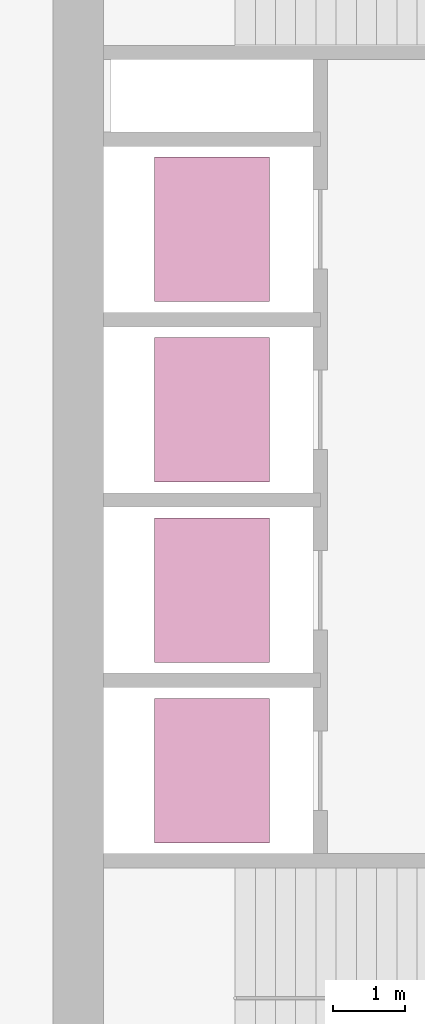
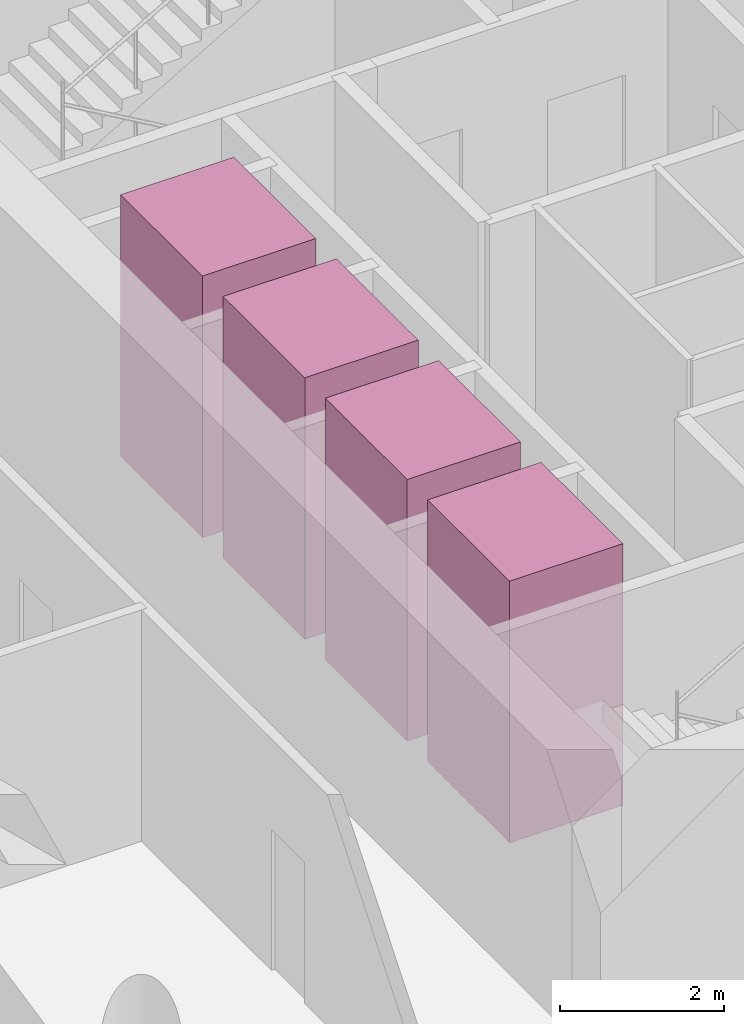
# One storey, part 9 of 9: 4 transport elements.
"""IFC4 building model written with IfcOpenShell, lengths in metres."""

import ifcopenshell
import ifcopenshell.guid

model = None  # the IFC model being written
_history = None  # IfcOwnerHistory: only IFC2X3 demands one
_inside = {}  # id of a spatial element -> (the spatial element, [elements in it])
_under = {}  # id of a project, library or spatial element -> (it, [spatial elements below it])
_declared = {}  # id of a project -> (the project, [libraries it declares])
_typed = {}  # id of a type object -> (the type object, [elements of that type])
_made_of = {}  # id of a material, layer set ... -> (it, [elements and type objects made of it])


def new_model(schema):
    """Start an empty IFC model of exactly this schema.

    Asked for "IFC4X3", IfcOpenShell would pick the latest addendum, in which some entities
    have other attributes; the version numbers below select the first issue.
    IFC2X3 requires an IfcOwnerHistory on every rooted entity: one is made here for all.
    """
    global model, _history
    if schema == "IFC4X3":
        model = ifcopenshell.file(schema_version=(4, 3, 0, 0))
    else:
        model = ifcopenshell.file(schema=schema)
    _inside.clear()
    _under.clear()
    _declared.clear()
    _typed.clear()
    _made_of.clear()
    _history = None
    if model.schema == "IFC2X3":
        org = make("IfcOrganization", Name="unknown")
        user = make(
            "IfcPersonAndOrganization",
            ThePerson=make("IfcPerson", FamilyName="unknown"),
            TheOrganization=org,
        )
        app = make(
            "IfcApplication",
            ApplicationDeveloper=org,
            Version="unknown",
            ApplicationFullName="unknown",
            ApplicationIdentifier="unknown",
        )
        _history = make(
            "IfcOwnerHistory",
            OwningUser=user,
            OwningApplication=app,
            ChangeAction="ADDED",
            CreationDate=0,
        )
    return model


def make(cls, **values):
    """One entity of the class cls with the attributes given. An attribute that is None is left unset."""
    return model.create_entity(
        cls, **{name: value for name, value in values.items() if value is not None}
    )


def rooted(cls, **values):
    """An entity with a GlobalId (a new one), such as an element, a storey or a relation."""
    return make(cls, GlobalId=ifcopenshell.guid.new(), OwnerHistory=_history, **values)


def si_unit(unit_type, name, prefix=None):
    """IfcSIUnit, for example si_unit("LENGTHUNIT", "METRE", prefix="MILLI")."""
    return make("IfcSIUnit", UnitType=unit_type, Prefix=prefix, Name=name)


def assignment(units):
    """IfcUnitAssignment: the units of a project."""
    return None if units is None else make("IfcUnitAssignment", Units=units)


def point(xyz):
    """IfcCartesianPoint."""
    return None if xyz is None else make("IfcCartesianPoint", Coordinates=xyz)


def direction(xyz):
    """IfcDirection."""
    return None if xyz is None else make("IfcDirection", DirectionRatios=xyz)


def frame(location, z_axis=None, x_axis=None):
    """IfcAxis2Placement3D, a coordinate frame: its origin and axes. An axis left out is left unset."""
    return make(
        "IfcAxis2Placement3D",
        Location=point(location),
        Axis=direction(z_axis),
        RefDirection=direction(x_axis),
    )


def frame_2d(location, x_axis=None):
    """IfcAxis2Placement2D, a coordinate frame in the plane: its origin and x axis."""
    return make(
        "IfcAxis2Placement2D", Location=point(location), RefDirection=direction(x_axis)
    )


def origin():
    """The frame at (0, 0, 0) with its axes left unset."""
    return frame((0.0, 0.0, 0.0))


def origin_2d():
    """The frame at (0, 0) in the plane with its x axis left unset."""
    return frame_2d((0.0, 0.0))


def place(relative_to, where):
    """IfcLocalPlacement: puts the frame where relative to a parent placement (None: the world)."""
    return make(
        "IfcLocalPlacement", PlacementRelTo=relative_to, RelativePlacement=where
    )


def context(
    kind, dimensions, precision=None, world=None, true_north=None, identifier=None
):
    """IfcGeometricRepresentationContext, for example the 3D "Model" context."""
    return make(
        "IfcGeometricRepresentationContext",
        ContextIdentifier=identifier,
        ContextType=kind,
        CoordinateSpaceDimension=dimensions,
        Precision=precision,
        WorldCoordinateSystem=world,
        TrueNorth=true_north,
    )


def subcontext(parent, identifier, kind, view, scale=None):
    """IfcGeometricRepresentationSubContext, for example "Body" below "Model"."""
    return make(
        "IfcGeometricRepresentationSubContext",
        ContextIdentifier=identifier,
        ContextType=kind,
        ParentContext=parent,
        TargetScale=scale,
        TargetView=view,
    )


def project(units=None, contexts=None):
    """IfcProject with its units and contexts."""
    return rooted(
        "IfcProject",
        Name="project",
        RepresentationContexts=contexts,
        UnitsInContext=assignment(units),
    )


def spatial(cls, under=None, at=None, **own):
    """A site, building, storey or space (cls), placed at a placement, below another one or the project."""
    s = rooted(cls, ObjectPlacement=at, **own)
    if under is not None:
        _under.setdefault(under.id(), (under, []))[1].append(s)
    return s


def profile(cls, at=None, kind="AREA", **sizes):
    """A parametric profile (cls). Its sizes go by their IFC names, for example OverallWidth=200.0."""
    return make(cls, ProfileType=kind, Position=at, **sizes)


def rectangle(**sizes):
    """IfcRectangleProfileDef."""
    return profile("IfcRectangleProfileDef", **sizes)


def extrude(swept, where, along, depth):
    """IfcExtrudedAreaSolid: the profile swept, set in the frame where, extruded along a direction by depth."""
    return make(
        "IfcExtrudedAreaSolid",
        SweptArea=swept,
        Position=where,
        ExtrudedDirection=direction(along),
        Depth=depth,
    )


def shape(context_of_items, identifier, shape_type, items):
    """IfcShapeRepresentation: the items that make up one representation, for example the "Body"."""
    return make(
        "IfcShapeRepresentation",
        ContextOfItems=context_of_items,
        RepresentationIdentifier=identifier,
        RepresentationType=shape_type,
        Items=items,
    )


def material(Name=None, Category=None):
    """IfcMaterial."""
    return make("IfcMaterial", Name=Name, Category=Category)


def made_of(thing, what):
    """Note that an element or type object is made of a material, layer set ...; save() writes the relation."""
    if what is not None:
        _made_of.setdefault(what.id(), (what, []))[1].append(thing)
    return thing


def type_object(cls, material=None, **own):
    """A type object (cls), such as IfcWallType, which elements share."""
    return made_of(rooted(cls, **own), material)


def element(
    cls,
    number,
    at=None,
    inside=None,
    cuts=None,
    type_object=None,
    material=None,
    context=None,
    identifier="Body",
    shape_type=None,
    held_by="IfcProductDefinitionShape",
    body=None,
    shapes=None,
    **own,
):
    """One element of the class cls, such as IfcWall. Its Tag is "e" and its number.

    at: its placement. inside: the storey or other place that contains it. cuts: it is an
    opening in that element (IfcRelVoidsElement). A single representation is given by context,
    identifier, shape_type and body (its items); several are given by shapes. held_by: the class
    of the entity that holds the representations. save() writes the other relations.
    """
    e = rooted(cls, Tag="e%d" % number, ObjectPlacement=at, **own)
    if body is not None:
        shapes = [shape(context, identifier, shape_type, body)]
    if shapes is not None:
        e.Representation = make(held_by, Representations=shapes)
    if inside is not None:
        _inside.setdefault(inside.id(), (inside, []))[1].append(e)
    if cuts is not None:
        rooted(
            "IfcRelVoidsElement", RelatingBuildingElement=cuts, RelatedOpeningElement=e
        )
    if type_object is not None:
        _typed.setdefault(type_object.id(), (type_object, []))[1].append(e)
    return made_of(e, material)


def aggregate(whole, parts):
    """IfcRelAggregates: a whole, such as a stair, and the parts it consists of."""
    return rooted("IfcRelAggregates", RelatingObject=whole, RelatedObjects=parts)


def save(model, path):
    """Write the relations noted so far, then the file.

    IfcRelAggregates (storeys below a building ...), IfcRelContainedInSpatialStructure (elements
    in a storey), IfcRelDefinesByType, IfcRelAssociatesMaterial and IfcRelDeclares: one each for
    every whole, place, type object, material and project.
    """
    for whole, parts in _under.values():
        aggregate(whole, parts)
    for where, things in _inside.values():
        rooted(
            "IfcRelContainedInSpatialStructure",
            RelatedElements=things,
            RelatingStructure=where,
        )
    for kind, things in _typed.values():
        rooted("IfcRelDefinesByType", RelatedObjects=things, RelatingType=kind)
    for what, things in _made_of.values():
        rooted("IfcRelAssociatesMaterial", RelatedObjects=things, RelatingMaterial=what)
    for by, libraries in _declared.values():
        rooted("IfcRelDeclares", RelatingContext=by, RelatedDefinitions=libraries)
    model.write(path)


model = new_model("IFC4")

# Units and contexts
model_context = context("Model", 3, precision=1e-05, world=origin(), true_north=direction((0.0, 1.0)))
body_context = subcontext(model_context, "Body", "Model", "MODEL_VIEW")
ifc_project = project(units=[si_unit("LENGTHUNIT", "METRE"), si_unit("AREAUNIT", "SQUARE_METRE"), si_unit("VOLUMEUNIT", "CUBIC_METRE"), si_unit("PLANEANGLEUNIT", "RADIAN"), si_unit("MASSUNIT", "GRAM", prefix="KILO")], contexts=[model_context])

# Site, building, storey
site_placement = place(None, origin())
site = spatial("IfcSite", under=ifc_project, at=site_placement, CompositionType="ELEMENT")
building_placement = place(site_placement, origin())
building = spatial("IfcBuilding", under=site, at=building_placement, Name="Qaws Garden Tower", CompositionType="ELEMENT")
storey_placement = place(building_placement, frame((0.0, 0.0, 233.10009765625)))
storey = spatial("IfcBuildingStorey", under=building, at=storey_placement, Name="L57", CompositionType="ELEMENT", Elevation=233.10009765625)

# Transport elements
ifc_material = material(Name="Stainless steel 316", Category="steel")
transport_element_type = type_object("IfcTransportElementType", Name="Passenger lift car 2000x1600 1800 kg", PredefinedType="ELEVATOR", material=ifc_material)
for number, where, z_axis, x_axis, name in (
    (1, (10.199951171875, 13.64990234375, 0.0), (0.0, 0.0, 1.0), (1.0, 0.0, 0.0), "MR1"),
    (2, (10.199951171875, 16.14990234375, 0.0), (0.0, 0.0, 1.0), (1.0, 0.0, 0.0), "MR2"),
    (3, (10.199951171875, 18.64990234375, 0.0), (0.0, 0.0, 1.0), (1.0, 0.0, 0.0), "MR3"),
    (4, (10.199951171875, 21.14990234375, 0.0), (0.0, 0.0, 1.0), (1.0, 0.0, 0.0), "MR4"),
):
    element("IfcTransportElement", number, at=place(storey_placement, frame(where, z_axis=z_axis, x_axis=x_axis)), inside=storey, type_object=transport_element_type, Name=name, PredefinedType="ELEVATOR", context=body_context, shape_type="SweptSolid", body=[
        extrude(rectangle(XDim=1.60009765625, YDim=2.0, at=origin_2d()), origin(), (0.0, 0.0, 1.0), 3.89990234375),
    ])

save(model, "model.ifc")
